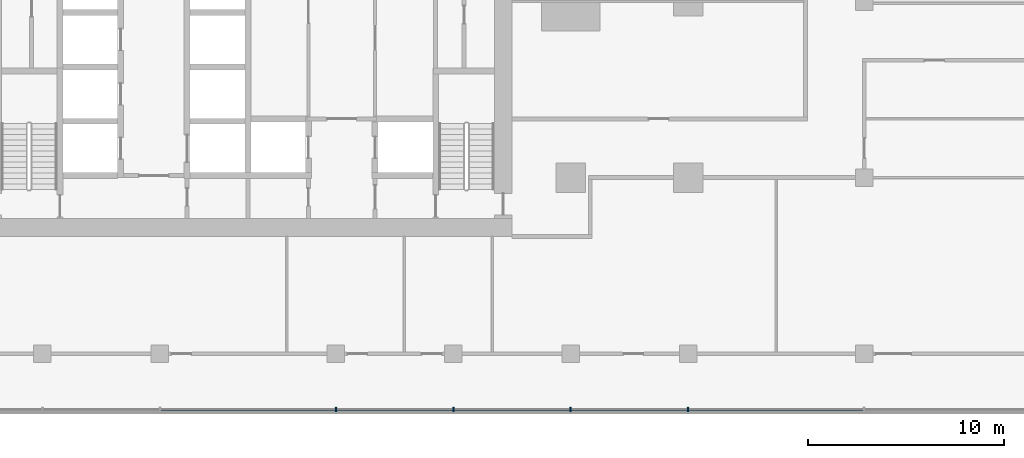
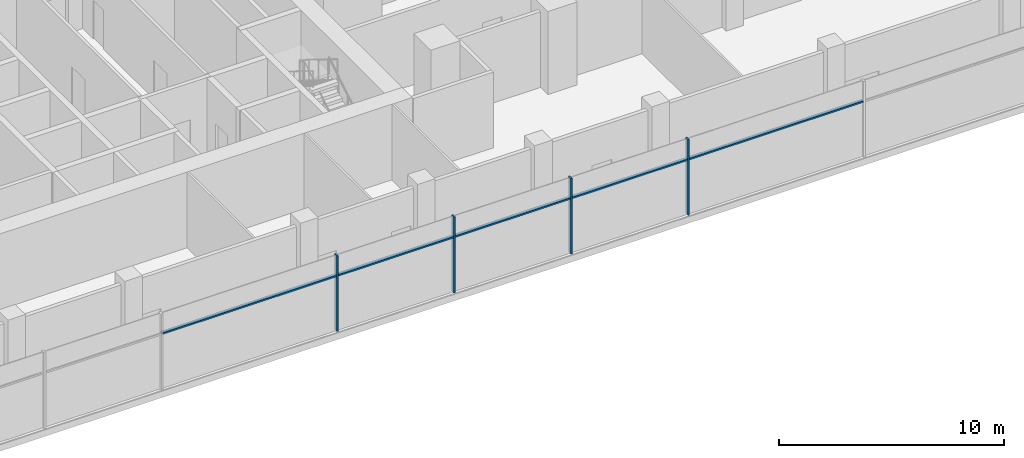
# One storey, part 3 of 22: 9 members, 1 element without a shape of its own.
"""IFC4 building model written with IfcOpenShell, lengths in metres."""

from ifc_helpers import new_model, si_unit, direction, frame, origin, origin_2d, place, context, subcontext, project, spatial, rectangle, extrude, material, material_profile, profile_set, type_object, element, aggregate, save


model = new_model("IFC4")

# Units and contexts
model_context = context("Model", 3, precision=1e-05, world=origin(), true_north=direction((0.0, 1.0)))
body_context = subcontext(model_context, "Body", "Model", "MODEL_VIEW")
ifc_project = project(units=[si_unit("LENGTHUNIT", "METRE"), si_unit("AREAUNIT", "SQUARE_METRE"), si_unit("VOLUMEUNIT", "CUBIC_METRE"), si_unit("PLANEANGLEUNIT", "RADIAN"), si_unit("MASSUNIT", "GRAM", prefix="KILO")], contexts=[model_context])

# Site, building, storey
site_placement = place(None, origin())
site = spatial("IfcSite", under=ifc_project, at=site_placement, CompositionType="ELEMENT")
building_placement = place(site_placement, origin())
building = spatial("IfcBuilding", under=site, at=building_placement, Name="Finial Court Residences", CompositionType="ELEMENT")
storey_placement = place(building_placement, frame((0.0, 0.0, 28.0)))
storey = spatial("IfcBuildingStorey", under=building, at=storey_placement, Name="L05", CompositionType="ELEMENT", Elevation=28.0)

# Curtain wall, members
ifc_material = material(Name="Bronze anodised aluminium", Category="aluminium")
curtain_wall_type = type_object("IfcCurtainWallType", Name="Podium curtain wall", PredefinedType="NOTDEFINED", material=ifc_material)
curtain_wall_placement = place(storey_placement, origin())
curtain_wall = element("IfcCurtainWall", 1, at=curtain_wall_placement, inside=storey, type_object=curtain_wall_type, Name="E-L05-CW-S3", PredefinedType="NOTDEFINED")
ifc_material_profile_1 = material_profile(ifc_material, rectangle(XDim=0.22509765625, YDim=0.080078125, at=origin_2d()), Name="CW5 mullion 80 x 225")
ifc_profile_set_1 = profile_set([ifc_material_profile_1], Name="Bronze anodised aluminium")
member_type_1 = type_object("IfcMemberType", Name="CW5 mullion 80 x 225", PredefinedType="MULLION", material=ifc_profile_set_1)
member_1_placement = place(storey_placement, frame((4.5, -34.35009765625, 0.0), z_axis=(0.0, 0.0, 1.0), x_axis=(0.0, 1.0, 0.0)))
member_1 = element("IfcMember", 2, at=member_1_placement, type_object=member_type_1, Name="CW5 mullion 7", PredefinedType="MULLION", context=body_context, shape_type="SweptSolid", body=[
    extrude(rectangle(XDim=0.22509765625, YDim=0.080078125, at=origin_2d()), origin(), (0.0, 0.0, 1.0), 4.10009765625),
])
member_2_placement = place(storey_placement, frame((10.5, -34.35009765625, 0.0), z_axis=(0.0, 0.0, 1.0), x_axis=(0.0, 1.0, 0.0)))
member_2 = element("IfcMember", 3, at=member_2_placement, type_object=member_type_1, Name="CW5 mullion 8", PredefinedType="MULLION", context=body_context, shape_type="SweptSolid", body=[
    extrude(rectangle(XDim=0.22509765625, YDim=0.080078125, at=origin_2d()), origin(), (0.0, 0.0, 1.0), 4.10009765625),
])
member_3_placement = place(storey_placement, frame((16.5, -34.35009765625, 0.0), z_axis=(0.0, 0.0, 1.0), x_axis=(0.0, 1.0, 0.0)))
member_3 = element("IfcMember", 4, at=member_3_placement, type_object=member_type_1, Name="CW5 mullion 9", PredefinedType="MULLION", context=body_context, shape_type="SweptSolid", body=[
    extrude(rectangle(XDim=0.22509765625, YDim=0.080078125, at=origin_2d()), origin(), (0.0, 0.0, 1.0), 4.10009765625),
])
member_4_placement = place(storey_placement, frame((22.5, -34.35009765625, 0.0), z_axis=(0.0, 0.0, 1.0), x_axis=(0.0, 1.0, 0.0)))
member_4 = element("IfcMember", 5, at=member_4_placement, type_object=member_type_1, Name="CW5 mullion 10", PredefinedType="MULLION", context=body_context, shape_type="SweptSolid", body=[
    extrude(rectangle(XDim=0.22509765625, YDim=0.080078125, at=origin_2d()), origin(), (0.0, 0.0, 1.0), 4.10009765625),
])
ifc_material_profile_2 = material_profile(ifc_material, rectangle(XDim=0.175048828125, YDim=0.080078125, at=origin_2d()), Name="CW5 transom 80 x 175")
ifc_profile_set_2 = profile_set([ifc_material_profile_2], Name="Bronze anodised aluminium")
member_type_2 = type_object("IfcMemberType", Name="CW5 transom 80 x 175", PredefinedType="USERDEFINED", material=ifc_profile_set_2)
member_5_placement = place(storey_placement, frame((-4.4599609375, -34.35009765625, 3.0), z_axis=(1.0, 0.0, 0.0), x_axis=(0.0, 1.0, 0.0)))
member_5 = element("IfcMember", 6, at=member_5_placement, type_object=member_type_2, Name="CW5 transom 6.1", ObjectType="TRANSOM", PredefinedType="USERDEFINED", context=body_context, shape_type="SweptSolid", body=[
    extrude(rectangle(XDim=0.175048828125, YDim=0.080078125, at=origin_2d()), origin(), (0.0, 0.0, 1.0), 8.919921875),
])
member_6_placement = place(storey_placement, frame((4.5400390625, -34.35009765625, 3.0), z_axis=(1.0, 0.0, 0.0), x_axis=(0.0, 1.0, 0.0)))
member_6 = element("IfcMember", 7, at=member_6_placement, type_object=member_type_2, Name="CW5 transom 7.1", ObjectType="TRANSOM", PredefinedType="USERDEFINED", context=body_context, shape_type="SweptSolid", body=[
    extrude(rectangle(XDim=0.175048828125, YDim=0.080078125, at=origin_2d()), origin(), (0.0, 0.0, 1.0), 5.919921875),
])
member_7_placement = place(storey_placement, frame((10.5400390625, -34.35009765625, 3.0), z_axis=(1.0, 0.0, 0.0), x_axis=(0.0, 1.0, 0.0)))
member_7 = element("IfcMember", 8, at=member_7_placement, type_object=member_type_2, Name="CW5 transom 8.1", ObjectType="TRANSOM", PredefinedType="USERDEFINED", context=body_context, shape_type="SweptSolid", body=[
    extrude(rectangle(XDim=0.175048828125, YDim=0.080078125, at=origin_2d()), origin(), (0.0, 0.0, 1.0), 5.919921875),
])
member_8_placement = place(storey_placement, frame((16.5400390625, -34.35009765625, 3.0), z_axis=(1.0, 0.0, 0.0), x_axis=(0.0, 1.0, 0.0)))
member_8 = element("IfcMember", 9, at=member_8_placement, type_object=member_type_2, Name="CW5 transom 9.1", ObjectType="TRANSOM", PredefinedType="USERDEFINED", context=body_context, shape_type="SweptSolid", body=[
    extrude(rectangle(XDim=0.175048828125, YDim=0.080078125, at=origin_2d()), origin(), (0.0, 0.0, 1.0), 5.919921875),
])
member_9_placement = place(storey_placement, frame((22.5400390625, -34.35009765625, 3.0), z_axis=(1.0, 0.0, 0.0), x_axis=(0.0, 1.0, 0.0)))
member_9 = element("IfcMember", 10, at=member_9_placement, type_object=member_type_2, Name="CW5 transom 10.1", ObjectType="TRANSOM", PredefinedType="USERDEFINED", context=body_context, shape_type="SweptSolid", body=[
    extrude(rectangle(XDim=0.175048828125, YDim=0.080078125, at=origin_2d()), origin(), (0.0, 0.0, 1.0), 8.919921875),
])
aggregate(curtain_wall, [member_1, member_2, member_3, member_4, member_5, member_6, member_7, member_8, member_9])

save(model, "model.ifc")
